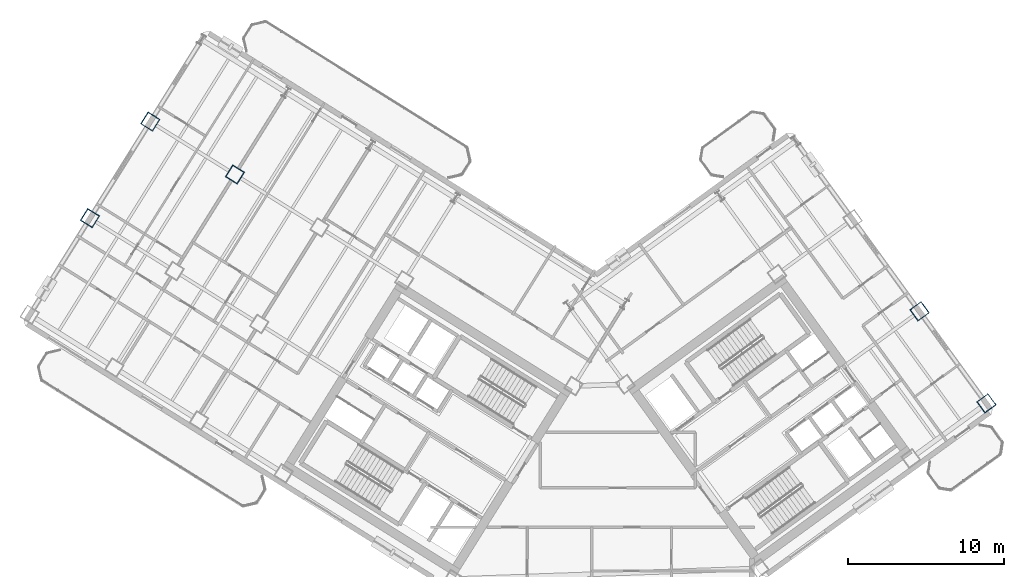
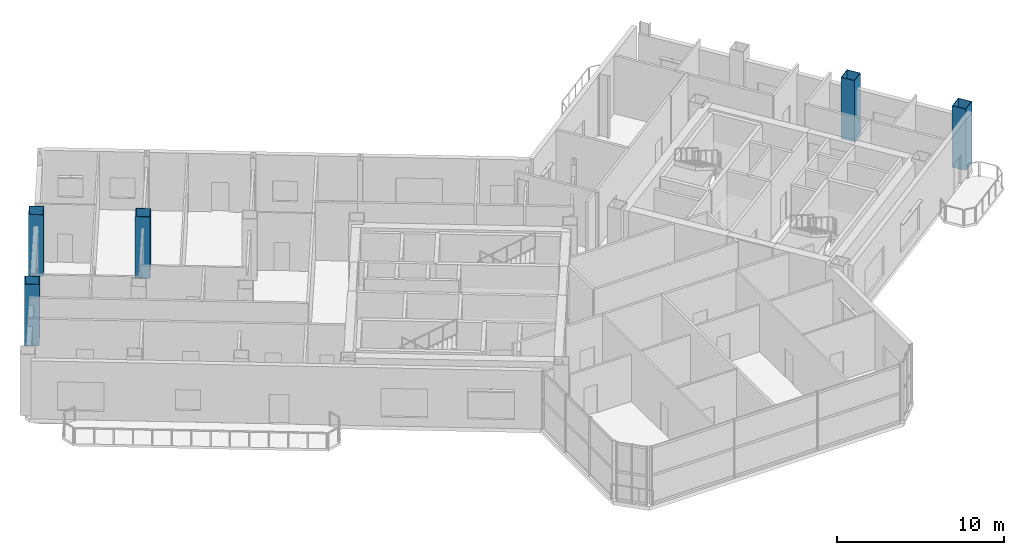
# One storey, part 2 of 21: 5 columns.
"""IFC4 building model written with IfcOpenShell, lengths in metres."""

from ifc_helpers import new_model, si_unit, direction, frame, origin, origin_2d, place, context, subcontext, project, spatial, hollow_rectangle, extrude, source, transform, mapped, material, material_profile, profile_set, type_object, element, save


model = new_model("IFC4")

# Units and contexts
model_context = context("Model", 3, precision=1e-05, world=origin(), true_north=direction((0.0, 1.0)))
body_context = subcontext(model_context, "Body", "Model", "MODEL_VIEW")
ifc_project = project(units=[si_unit("LENGTHUNIT", "METRE"), si_unit("AREAUNIT", "SQUARE_METRE"), si_unit("VOLUMEUNIT", "CUBIC_METRE"), si_unit("PLANEANGLEUNIT", "RADIAN"), si_unit("MASSUNIT", "GRAM", prefix="KILO")], contexts=[model_context])

# Site, building, storey
site_placement = place(None, origin())
site = spatial("IfcSite", under=ifc_project, at=site_placement, CompositionType="ELEMENT")
building_placement = place(site_placement, origin())
building = spatial("IfcBuilding", under=site, at=building_placement, Name="Tlacorven Tower", CompositionType="ELEMENT")
storey_placement = place(building_placement, frame((0.0, 0.0, 100.800048828125)))
storey = spatial("IfcBuildingStorey", under=building, at=storey_placement, Name="L25", CompositionType="ELEMENT", Elevation=100.800048828125)

# Columns
ifc_material = material(Name="Steel S460M", Category="steel")
ifc_material_profile = material_profile(ifc_material, hollow_rectangle(XDim=0.89990234375, YDim=0.89990234375, WallThickness=0.035888671875, at=origin_2d()), Name="BOX 900X900X36")
ifc_profile_set = profile_set([ifc_material_profile], Name="Steel S460M")
column_type = type_object("IfcColumnType", Name="COL-TWR-S2", PredefinedType="COLUMN", material=ifc_profile_set)
shared_shape = source(origin(), body_context, "Body", "SweptSolid", [
    extrude(hollow_rectangle(XDim=0.89990234375, YDim=0.89990234375, WallThickness=0.035888671875, at=origin_2d()), origin(), (0.0, 0.0, 1.0), 4.5),
])
for number, where, z_axis, x_axis, name in (
    (1, (19.072998046875, 38.034423828125, 0.0), (0.0, 0.0, 1.0), (-0.848048096156, 0.529919264233, 0.0), "L25 column COL-L25-W5-2"),
    (2, (13.6455078125, 41.42578125, 0.0), (0.0, 0.0, 1.0), (-0.848048096156, 0.529919264233, 0.0), "L25 column COL-L25-W6-2"),
    (3, (9.777099609375, 35.235107421875, 0.0), (0.0, 0.0, 1.0), (-0.848048096156, 0.529919264233, 0.0), "L25 column COL-L25-W6-3"),
    (4, (67.267822265625, 23.353515625, 0.0), (0.0, 0.0, 1.0), (0.809016994375, 0.587785252292, 0.0), "L25 column COL-L25-E4-1"),
    (5, (62.976806640625, 29.25927734375, 0.0), (0.0, 0.0, 1.0), (0.809016994375, 0.587785252292, 0.0), "L25 column COL-L25-E4-2"),
):
    element("IfcColumn", number, at=place(storey_placement, frame(where, z_axis=z_axis, x_axis=x_axis)), inside=storey, type_object=column_type, Name=name, PredefinedType="COLUMN", context=body_context, shape_type="MappedRepresentation", body=[
        mapped(shared_shape, transform((0.0, 0.0, 0.0), scale=1.0)),
    ])

save(model, "model.ifc")
